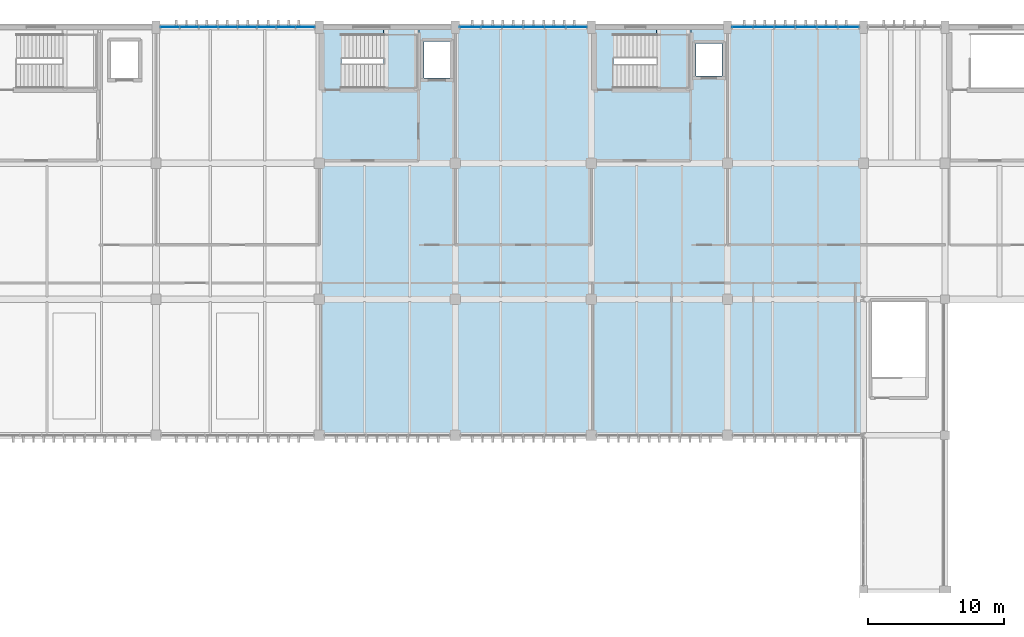
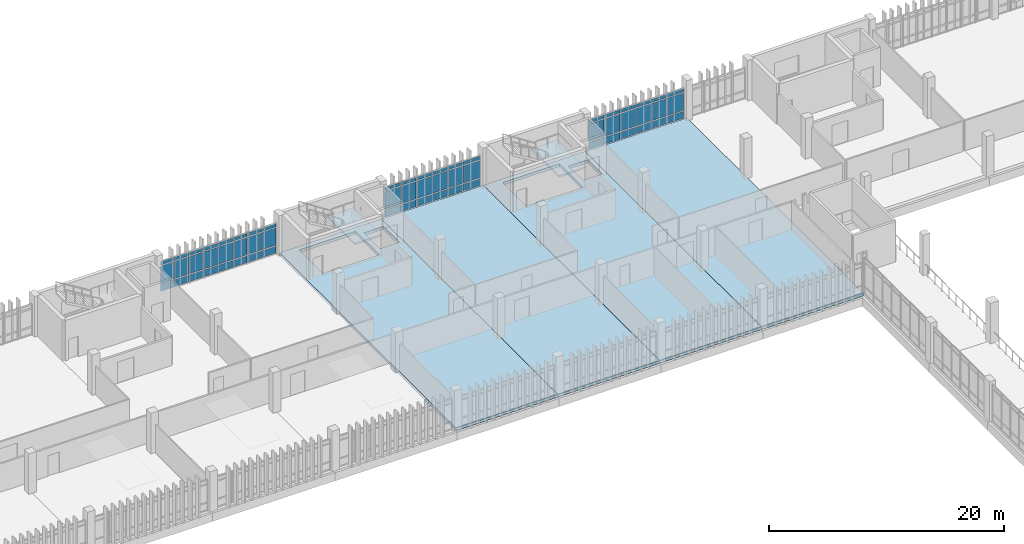
# One storey, part 134 of 161: 60 plates, 6 slabs, 5 elements without a shape of their own.
"""IFC4 building model written with IfcOpenShell, lengths in metres."""

from ifc_helpers import new_model, si_unit, direction, frame, origin, origin_2d, place, context, subcontext, project, spatial, polyline, rectangle, outline, extrude, material, layer, layer_set, type_object, element, aggregate, save


model = new_model("IFC4")

# Units and contexts
model_context = context("Model", 3, precision=1e-05, world=origin(), true_north=direction((0.0, 1.0)))
body_context = subcontext(model_context, "Body", "Model", "MODEL_VIEW")
ifc_project = project(units=[si_unit("LENGTHUNIT", "METRE"), si_unit("AREAUNIT", "SQUARE_METRE"), si_unit("VOLUMEUNIT", "CUBIC_METRE"), si_unit("PLANEANGLEUNIT", "RADIAN"), si_unit("MASSUNIT", "GRAM", prefix="KILO")], contexts=[model_context])

# Site, building, storey
site_placement = place(None, origin())
site = spatial("IfcSite", under=ifc_project, at=site_placement, CompositionType="ELEMENT")
building_placement = place(site_placement, origin())
building = spatial("IfcBuilding", under=site, at=building_placement, Name="Mersad Railyard Sports Hall", CompositionType="ELEMENT")
storey_placement = place(building_placement, frame((0.0, 0.0, 4.800048828125)))
storey = spatial("IfcBuildingStorey", under=building, at=storey_placement, Name="L01", CompositionType="ELEMENT", Elevation=4.800048828125)

# Curtain wall, plates
ifc_material_1 = material(Name="Aluminium 6063-T6", Category="aluminium")
ifc_layer_1 = layer(ifc_material_1, 0.199951171875)
ifc_layer_set_1 = layer_set([ifc_layer_1], Name="Aluminium 6063-T6")
curtain_wall_type_1 = type_object("IfcCurtainWallType", Name="ARC-CW-CW34", PredefinedType="USERDEFINED", material=ifc_layer_set_1)
curtain_wall_1_placement = place(storey_placement, origin())
curtain_wall_1 = element("IfcCurtainWall", 1, at=curtain_wall_1_placement, inside=storey, type_object=curtain_wall_type_1, Name="Curtain wall CW34-0097", ObjectType="CURTAIN WALL", PredefinedType="USERDEFINED")
ifc_material_2 = material(Name="Solar-control glass", Category="glass")
ifc_layer_2 = layer(ifc_material_2, 0.028076171875)
ifc_layer_set_2 = layer_set([ifc_layer_2], Name="Solar-control glass")
plate_type = type_object("IfcPlateType", Name="ARC-CW-PNL01", PredefinedType="CURTAIN_PANEL", material=ifc_layer_set_2)
plate_1_placement = place(storey_placement, frame((80.030029296875, 115.0, 0.0849609375), z_axis=(0.0, 0.0, 1.0), x_axis=(1.0, 0.0, 0.0)))
plate_1 = element("IfcPlate", 2, at=plate_1_placement, type_object=plate_type, Name="CW34 Glazed panel 1-1", PredefinedType="CURTAIN_PANEL", context=body_context, shape_type="SweptSolid", body=[
    extrude(rectangle(XDim=1.3759765625, YDim=0.028076171875, at=origin_2d()), origin(), (0.0, 0.0, 1.0), 0.719970703125),
])
plate_2_placement = place(storey_placement, frame((80.030029296875, 115.0, 0.89501953125), z_axis=(0.0, 0.0, 1.0), x_axis=(1.0, 0.0, 0.0)))
plate_2 = element("IfcPlate", 3, at=plate_2_placement, type_object=plate_type, Name="CW34 Glazed panel 1-2", PredefinedType="CURTAIN_PANEL", context=body_context, shape_type="SweptSolid", body=[
    extrude(rectangle(XDim=1.3759765625, YDim=0.028076171875, at=origin_2d()), origin(), (0.0, 0.0, 1.0), 1.81005859375),
])
plate_3_placement = place(storey_placement, frame((80.030029296875, 115.0, 2.794921875), z_axis=(0.0, 0.0, 1.0), x_axis=(1.0, 0.0, 0.0)))
plate_3 = element("IfcPlate", 4, at=plate_3_placement, type_object=plate_type, Name="CW34 Glazed panel 1-3", PredefinedType="CURTAIN_PANEL", context=body_context, shape_type="SweptSolid", body=[
    extrude(rectangle(XDim=1.3759765625, YDim=0.028076171875, at=origin_2d()), origin(), (0.0, 0.0, 1.0), 0.35009765625),
])
plate_4_placement = place(storey_placement, frame((81.449951171875, 115.0, 0.0849609375), z_axis=(0.0, 0.0, 1.0), x_axis=(1.0, 0.0, 0.0)))
plate_4 = element("IfcPlate", 5, at=plate_4_placement, type_object=plate_type, Name="CW34 Glazed panel 2-1", PredefinedType="CURTAIN_PANEL", context=body_context, shape_type="SweptSolid", body=[
    extrude(rectangle(XDim=1.3759765625, YDim=0.028076171875, at=origin_2d()), origin(), (0.0, 0.0, 1.0), 0.719970703125),
])
plate_5_placement = place(storey_placement, frame((81.449951171875, 115.0, 0.89501953125), z_axis=(0.0, 0.0, 1.0), x_axis=(1.0, 0.0, 0.0)))
plate_5 = element("IfcPlate", 6, at=plate_5_placement, type_object=plate_type, Name="CW34 Glazed panel 2-2", PredefinedType="CURTAIN_PANEL", context=body_context, shape_type="SweptSolid", body=[
    extrude(rectangle(XDim=1.3759765625, YDim=0.028076171875, at=origin_2d()), origin(), (0.0, 0.0, 1.0), 1.81005859375),
])
plate_6_placement = place(storey_placement, frame((81.449951171875, 115.0, 2.794921875), z_axis=(0.0, 0.0, 1.0), x_axis=(1.0, 0.0, 0.0)))
plate_6 = element("IfcPlate", 7, at=plate_6_placement, type_object=plate_type, Name="CW34 Glazed panel 2-3", PredefinedType="CURTAIN_PANEL", context=body_context, shape_type="SweptSolid", body=[
    extrude(rectangle(XDim=1.3759765625, YDim=0.028076171875, at=origin_2d()), origin(), (0.0, 0.0, 1.0), 0.35009765625),
])
plate_7_placement = place(storey_placement, frame((82.8701171875, 115.0, 0.0849609375), z_axis=(0.0, 0.0, 1.0), x_axis=(1.0, 0.0, 0.0)))
plate_7 = element("IfcPlate", 8, at=plate_7_placement, type_object=plate_type, Name="CW34 Glazed panel 3-1", PredefinedType="CURTAIN_PANEL", context=body_context, shape_type="SweptSolid", body=[
    extrude(rectangle(XDim=1.3759765625, YDim=0.028076171875, at=origin_2d()), origin(), (0.0, 0.0, 1.0), 0.719970703125),
])
plate_8_placement = place(storey_placement, frame((82.8701171875, 115.0, 0.89501953125), z_axis=(0.0, 0.0, 1.0), x_axis=(1.0, 0.0, 0.0)))
plate_8 = element("IfcPlate", 9, at=plate_8_placement, type_object=plate_type, Name="CW34 Glazed panel 3-2", PredefinedType="CURTAIN_PANEL", context=body_context, shape_type="SweptSolid", body=[
    extrude(rectangle(XDim=1.3759765625, YDim=0.028076171875, at=origin_2d()), origin(), (0.0, 0.0, 1.0), 1.81005859375),
])
plate_9_placement = place(storey_placement, frame((82.8701171875, 115.0, 2.794921875), z_axis=(0.0, 0.0, 1.0), x_axis=(1.0, 0.0, 0.0)))
plate_9 = element("IfcPlate", 10, at=plate_9_placement, type_object=plate_type, Name="CW34 Glazed panel 3-3", PredefinedType="CURTAIN_PANEL", context=body_context, shape_type="SweptSolid", body=[
    extrude(rectangle(XDim=1.3759765625, YDim=0.028076171875, at=origin_2d()), origin(), (0.0, 0.0, 1.0), 0.35009765625),
])
plate_10_placement = place(storey_placement, frame((84.2900390625, 115.0, 0.0849609375), z_axis=(0.0, 0.0, 1.0), x_axis=(1.0, 0.0, 0.0)))
plate_10 = element("IfcPlate", 11, at=plate_10_placement, type_object=plate_type, Name="CW34 Glazed panel 4-1", PredefinedType="CURTAIN_PANEL", context=body_context, shape_type="SweptSolid", body=[
    extrude(rectangle(XDim=1.3759765625, YDim=0.028076171875, at=origin_2d()), origin(), (0.0, 0.0, 1.0), 0.719970703125),
])
plate_11_placement = place(storey_placement, frame((84.2900390625, 115.0, 0.89501953125), z_axis=(0.0, 0.0, 1.0), x_axis=(1.0, 0.0, 0.0)))
plate_11 = element("IfcPlate", 12, at=plate_11_placement, type_object=plate_type, Name="CW34 Glazed panel 4-2", PredefinedType="CURTAIN_PANEL", context=body_context, shape_type="SweptSolid", body=[
    extrude(rectangle(XDim=1.3759765625, YDim=0.028076171875, at=origin_2d()), origin(), (0.0, 0.0, 1.0), 1.81005859375),
])
plate_12_placement = place(storey_placement, frame((84.2900390625, 115.0, 2.794921875), z_axis=(0.0, 0.0, 1.0), x_axis=(1.0, 0.0, 0.0)))
plate_12 = element("IfcPlate", 13, at=plate_12_placement, type_object=plate_type, Name="CW34 Glazed panel 4-3", PredefinedType="CURTAIN_PANEL", context=body_context, shape_type="SweptSolid", body=[
    extrude(rectangle(XDim=1.3759765625, YDim=0.028076171875, at=origin_2d()), origin(), (0.0, 0.0, 1.0), 0.35009765625),
])
plate_13_placement = place(storey_placement, frame((85.7099609375, 115.0, 0.0849609375), z_axis=(0.0, 0.0, 1.0), x_axis=(1.0, 0.0, 0.0)))
plate_13 = element("IfcPlate", 14, at=plate_13_placement, type_object=plate_type, Name="CW34 Glazed panel 5-1", PredefinedType="CURTAIN_PANEL", context=body_context, shape_type="SweptSolid", body=[
    extrude(rectangle(XDim=1.3759765625, YDim=0.028076171875, at=origin_2d()), origin(), (0.0, 0.0, 1.0), 0.719970703125),
])
plate_14_placement = place(storey_placement, frame((85.7099609375, 115.0, 0.89501953125), z_axis=(0.0, 0.0, 1.0), x_axis=(1.0, 0.0, 0.0)))
plate_14 = element("IfcPlate", 15, at=plate_14_placement, type_object=plate_type, Name="CW34 Glazed panel 5-2", PredefinedType="CURTAIN_PANEL", context=body_context, shape_type="SweptSolid", body=[
    extrude(rectangle(XDim=1.3759765625, YDim=0.028076171875, at=origin_2d()), origin(), (0.0, 0.0, 1.0), 1.81005859375),
])
plate_15_placement = place(storey_placement, frame((85.7099609375, 115.0, 2.794921875), z_axis=(0.0, 0.0, 1.0), x_axis=(1.0, 0.0, 0.0)))
plate_15 = element("IfcPlate", 16, at=plate_15_placement, type_object=plate_type, Name="CW34 Glazed panel 5-3", PredefinedType="CURTAIN_PANEL", context=body_context, shape_type="SweptSolid", body=[
    extrude(rectangle(XDim=1.3759765625, YDim=0.028076171875, at=origin_2d()), origin(), (0.0, 0.0, 1.0), 0.35009765625),
])
plate_16_placement = place(storey_placement, frame((87.1298828125, 115.0, 0.0849609375), z_axis=(0.0, 0.0, 1.0), x_axis=(1.0, 0.0, 0.0)))
plate_16 = element("IfcPlate", 17, at=plate_16_placement, type_object=plate_type, Name="CW34 Glazed panel 6-1", PredefinedType="CURTAIN_PANEL", context=body_context, shape_type="SweptSolid", body=[
    extrude(rectangle(XDim=1.3759765625, YDim=0.028076171875, at=origin_2d()), origin(), (0.0, 0.0, 1.0), 0.719970703125),
])
plate_17_placement = place(storey_placement, frame((87.1298828125, 115.0, 0.89501953125), z_axis=(0.0, 0.0, 1.0), x_axis=(1.0, 0.0, 0.0)))
plate_17 = element("IfcPlate", 18, at=plate_17_placement, type_object=plate_type, Name="CW34 Glazed panel 6-2", PredefinedType="CURTAIN_PANEL", context=body_context, shape_type="SweptSolid", body=[
    extrude(rectangle(XDim=1.3759765625, YDim=0.028076171875, at=origin_2d()), origin(), (0.0, 0.0, 1.0), 1.81005859375),
])
plate_18_placement = place(storey_placement, frame((87.1298828125, 115.0, 2.794921875), z_axis=(0.0, 0.0, 1.0), x_axis=(1.0, 0.0, 0.0)))
plate_18 = element("IfcPlate", 19, at=plate_18_placement, type_object=plate_type, Name="CW34 Glazed panel 6-3", PredefinedType="CURTAIN_PANEL", context=body_context, shape_type="SweptSolid", body=[
    extrude(rectangle(XDim=1.3759765625, YDim=0.028076171875, at=origin_2d()), origin(), (0.0, 0.0, 1.0), 0.35009765625),
])
plate_19_placement = place(storey_placement, frame((88.550048828125, 115.0, 0.0849609375), z_axis=(0.0, 0.0, 1.0), x_axis=(1.0, 0.0, 0.0)))
plate_19 = element("IfcPlate", 20, at=plate_19_placement, type_object=plate_type, Name="CW34 Glazed panel 7-1", PredefinedType="CURTAIN_PANEL", context=body_context, shape_type="SweptSolid", body=[
    extrude(rectangle(XDim=1.3759765625, YDim=0.028076171875, at=origin_2d()), origin(), (0.0, 0.0, 1.0), 0.719970703125),
])
plate_20_placement = place(storey_placement, frame((88.550048828125, 115.0, 0.89501953125), z_axis=(0.0, 0.0, 1.0), x_axis=(1.0, 0.0, 0.0)))
plate_20 = element("IfcPlate", 21, at=plate_20_placement, type_object=plate_type, Name="CW34 Glazed panel 7-2", PredefinedType="CURTAIN_PANEL", context=body_context, shape_type="SweptSolid", body=[
    extrude(rectangle(XDim=1.3759765625, YDim=0.028076171875, at=origin_2d()), origin(), (0.0, 0.0, 1.0), 1.81005859375),
])
plate_21_placement = place(storey_placement, frame((88.550048828125, 115.0, 2.794921875), z_axis=(0.0, 0.0, 1.0), x_axis=(1.0, 0.0, 0.0)))
plate_21 = element("IfcPlate", 22, at=plate_21_placement, type_object=plate_type, Name="CW34 Glazed panel 7-3", PredefinedType="CURTAIN_PANEL", context=body_context, shape_type="SweptSolid", body=[
    extrude(rectangle(XDim=1.3759765625, YDim=0.028076171875, at=origin_2d()), origin(), (0.0, 0.0, 1.0), 0.35009765625),
])
plate_22_placement = place(storey_placement, frame((89.969970703125, 115.0, 0.0849609375), z_axis=(0.0, 0.0, 1.0), x_axis=(1.0, 0.0, 0.0)))
plate_22 = element("IfcPlate", 23, at=plate_22_placement, type_object=plate_type, Name="CW34 Glazed panel 8-1", PredefinedType="CURTAIN_PANEL", context=body_context, shape_type="SweptSolid", body=[
    extrude(rectangle(XDim=1.3759765625, YDim=0.028076171875, at=origin_2d()), origin(), (0.0, 0.0, 1.0), 0.719970703125),
])
plate_23_placement = place(storey_placement, frame((89.969970703125, 115.0, 0.89501953125), z_axis=(0.0, 0.0, 1.0), x_axis=(1.0, 0.0, 0.0)))
plate_23 = element("IfcPlate", 24, at=plate_23_placement, type_object=plate_type, Name="CW34 Glazed panel 8-2", PredefinedType="CURTAIN_PANEL", context=body_context, shape_type="SweptSolid", body=[
    extrude(rectangle(XDim=1.3759765625, YDim=0.028076171875, at=origin_2d()), origin(), (0.0, 0.0, 1.0), 1.81005859375),
])
plate_24_placement = place(storey_placement, frame((89.969970703125, 115.0, 2.794921875), z_axis=(0.0, 0.0, 1.0), x_axis=(1.0, 0.0, 0.0)))
plate_24 = element("IfcPlate", 25, at=plate_24_placement, type_object=plate_type, Name="CW34 Glazed panel 8-3", PredefinedType="CURTAIN_PANEL", context=body_context, shape_type="SweptSolid", body=[
    extrude(rectangle(XDim=1.3759765625, YDim=0.028076171875, at=origin_2d()), origin(), (0.0, 0.0, 1.0), 0.35009765625),
])
aggregate(curtain_wall_1, [plate_1, plate_2, plate_3, plate_4, plate_5, plate_6, plate_7, plate_8, plate_9, plate_10, plate_11, plate_12, plate_13, plate_14, plate_15, plate_16, plate_17, plate_18, plate_19, plate_20, plate_21, plate_22, plate_23, plate_24])

ifc_layer_3 = layer(ifc_material_1, 0.199951171875)
ifc_layer_set_3 = layer_set([ifc_layer_3], Name="Aluminium 6063-T6")
curtain_wall_type_2 = type_object("IfcCurtainWallType", Name="ARC-CW-CW35", PredefinedType="USERDEFINED", material=ifc_layer_set_3)
curtain_wall_2_placement = place(storey_placement, origin())
curtain_wall_2 = element("IfcCurtainWall", 26, at=curtain_wall_2_placement, inside=storey, type_object=curtain_wall_type_2, Name="Curtain wall CW35-0098", ObjectType="CURTAIN WALL", PredefinedType="USERDEFINED")
plate_25_placement = place(storey_placement, frame((102.10009765625, 115.0, 0.0849609375), z_axis=(0.0, 0.0, 1.0), x_axis=(1.0, 0.0, 0.0)))
plate_25 = element("IfcPlate", 27, at=plate_25_placement, type_object=plate_type, Name="CW35 Glazed panel 1-1", PredefinedType="CURTAIN_PANEL", context=body_context, shape_type="SweptSolid", body=[
    extrude(rectangle(XDim=1.51611328125, YDim=0.028076171875, at=origin_2d()), origin(), (0.0, 0.0, 1.0), 0.719970703125),
])
plate_26_placement = place(storey_placement, frame((102.10009765625, 115.0, 0.89501953125), z_axis=(0.0, 0.0, 1.0), x_axis=(1.0, 0.0, 0.0)))
plate_26 = element("IfcPlate", 28, at=plate_26_placement, type_object=plate_type, Name="CW35 Glazed panel 1-2", PredefinedType="CURTAIN_PANEL", context=body_context, shape_type="SweptSolid", body=[
    extrude(rectangle(XDim=1.51611328125, YDim=0.028076171875, at=origin_2d()), origin(), (0.0, 0.0, 1.0), 1.81005859375),
])
plate_27_placement = place(storey_placement, frame((102.10009765625, 115.0, 2.794921875), z_axis=(0.0, 0.0, 1.0), x_axis=(1.0, 0.0, 0.0)))
plate_27 = element("IfcPlate", 29, at=plate_27_placement, type_object=plate_type, Name="CW35 Glazed panel 1-3", PredefinedType="CURTAIN_PANEL", context=body_context, shape_type="SweptSolid", body=[
    extrude(rectangle(XDim=1.51611328125, YDim=0.028076171875, at=origin_2d()), origin(), (0.0, 0.0, 1.0), 0.35009765625),
])
plate_28_placement = place(storey_placement, frame((103.659912109375, 115.0, 0.0849609375), z_axis=(0.0, 0.0, 1.0), x_axis=(1.0, 0.0, 0.0)))
plate_28 = element("IfcPlate", 30, at=plate_28_placement, type_object=plate_type, Name="CW35 Glazed panel 2-1", PredefinedType="CURTAIN_PANEL", context=body_context, shape_type="SweptSolid", body=[
    extrude(rectangle(XDim=1.51611328125, YDim=0.028076171875, at=origin_2d()), origin(), (0.0, 0.0, 1.0), 0.719970703125),
])
plate_29_placement = place(storey_placement, frame((103.659912109375, 115.0, 0.89501953125), z_axis=(0.0, 0.0, 1.0), x_axis=(1.0, 0.0, 0.0)))
plate_29 = element("IfcPlate", 31, at=plate_29_placement, type_object=plate_type, Name="CW35 Glazed panel 2-2", PredefinedType="CURTAIN_PANEL", context=body_context, shape_type="SweptSolid", body=[
    extrude(rectangle(XDim=1.51611328125, YDim=0.028076171875, at=origin_2d()), origin(), (0.0, 0.0, 1.0), 1.81005859375),
])
plate_30_placement = place(storey_placement, frame((103.659912109375, 115.0, 2.794921875), z_axis=(0.0, 0.0, 1.0), x_axis=(1.0, 0.0, 0.0)))
plate_30 = element("IfcPlate", 32, at=plate_30_placement, type_object=plate_type, Name="CW35 Glazed panel 2-3", PredefinedType="CURTAIN_PANEL", context=body_context, shape_type="SweptSolid", body=[
    extrude(rectangle(XDim=1.51611328125, YDim=0.028076171875, at=origin_2d()), origin(), (0.0, 0.0, 1.0), 0.35009765625),
])
plate_31_placement = place(storey_placement, frame((105.219970703125, 115.0, 0.0849609375), z_axis=(0.0, 0.0, 1.0), x_axis=(1.0, 0.0, 0.0)))
plate_31 = element("IfcPlate", 33, at=plate_31_placement, type_object=plate_type, Name="CW35 Glazed panel 3-1", PredefinedType="CURTAIN_PANEL", context=body_context, shape_type="SweptSolid", body=[
    extrude(rectangle(XDim=1.51611328125, YDim=0.028076171875, at=origin_2d()), origin(), (0.0, 0.0, 1.0), 0.719970703125),
])
plate_32_placement = place(storey_placement, frame((105.219970703125, 115.0, 0.89501953125), z_axis=(0.0, 0.0, 1.0), x_axis=(1.0, 0.0, 0.0)))
plate_32 = element("IfcPlate", 34, at=plate_32_placement, type_object=plate_type, Name="CW35 Glazed panel 3-2", PredefinedType="CURTAIN_PANEL", context=body_context, shape_type="SweptSolid", body=[
    extrude(rectangle(XDim=1.51611328125, YDim=0.028076171875, at=origin_2d()), origin(), (0.0, 0.0, 1.0), 1.81005859375),
])
plate_33_placement = place(storey_placement, frame((105.219970703125, 115.0, 2.794921875), z_axis=(0.0, 0.0, 1.0), x_axis=(1.0, 0.0, 0.0)))
plate_33 = element("IfcPlate", 35, at=plate_33_placement, type_object=plate_type, Name="CW35 Glazed panel 3-3", PredefinedType="CURTAIN_PANEL", context=body_context, shape_type="SweptSolid", body=[
    extrude(rectangle(XDim=1.51611328125, YDim=0.028076171875, at=origin_2d()), origin(), (0.0, 0.0, 1.0), 0.35009765625),
])
plate_34_placement = place(storey_placement, frame((106.780029296875, 115.0, 0.0849609375), z_axis=(0.0, 0.0, 1.0), x_axis=(1.0, 0.0, 0.0)))
plate_34 = element("IfcPlate", 36, at=plate_34_placement, type_object=plate_type, Name="CW35 Glazed panel 4-1", PredefinedType="CURTAIN_PANEL", context=body_context, shape_type="SweptSolid", body=[
    extrude(rectangle(XDim=1.51611328125, YDim=0.028076171875, at=origin_2d()), origin(), (0.0, 0.0, 1.0), 0.719970703125),
])
plate_35_placement = place(storey_placement, frame((106.780029296875, 115.0, 0.89501953125), z_axis=(0.0, 0.0, 1.0), x_axis=(1.0, 0.0, 0.0)))
plate_35 = element("IfcPlate", 37, at=plate_35_placement, type_object=plate_type, Name="CW35 Glazed panel 4-2", PredefinedType="CURTAIN_PANEL", context=body_context, shape_type="SweptSolid", body=[
    extrude(rectangle(XDim=1.51611328125, YDim=0.028076171875, at=origin_2d()), origin(), (0.0, 0.0, 1.0), 1.81005859375),
])
plate_36_placement = place(storey_placement, frame((106.780029296875, 115.0, 2.794921875), z_axis=(0.0, 0.0, 1.0), x_axis=(1.0, 0.0, 0.0)))
plate_36 = element("IfcPlate", 38, at=plate_36_placement, type_object=plate_type, Name="CW35 Glazed panel 4-3", PredefinedType="CURTAIN_PANEL", context=body_context, shape_type="SweptSolid", body=[
    extrude(rectangle(XDim=1.51611328125, YDim=0.028076171875, at=origin_2d()), origin(), (0.0, 0.0, 1.0), 0.35009765625),
])
plate_37_placement = place(storey_placement, frame((108.340087890625, 115.0, 0.0849609375), z_axis=(0.0, 0.0, 1.0), x_axis=(1.0, 0.0, 0.0)))
plate_37 = element("IfcPlate", 39, at=plate_37_placement, type_object=plate_type, Name="CW35 Glazed panel 5-1", PredefinedType="CURTAIN_PANEL", context=body_context, shape_type="SweptSolid", body=[
    extrude(rectangle(XDim=1.51611328125, YDim=0.028076171875, at=origin_2d()), origin(), (0.0, 0.0, 1.0), 0.719970703125),
])
plate_38_placement = place(storey_placement, frame((108.340087890625, 115.0, 0.89501953125), z_axis=(0.0, 0.0, 1.0), x_axis=(1.0, 0.0, 0.0)))
plate_38 = element("IfcPlate", 40, at=plate_38_placement, type_object=plate_type, Name="CW35 Glazed panel 5-2", PredefinedType="CURTAIN_PANEL", context=body_context, shape_type="SweptSolid", body=[
    extrude(rectangle(XDim=1.51611328125, YDim=0.028076171875, at=origin_2d()), origin(), (0.0, 0.0, 1.0), 1.81005859375),
])
plate_39_placement = place(storey_placement, frame((108.340087890625, 115.0, 2.794921875), z_axis=(0.0, 0.0, 1.0), x_axis=(1.0, 0.0, 0.0)))
plate_39 = element("IfcPlate", 41, at=plate_39_placement, type_object=plate_type, Name="CW35 Glazed panel 5-3", PredefinedType="CURTAIN_PANEL", context=body_context, shape_type="SweptSolid", body=[
    extrude(rectangle(XDim=1.51611328125, YDim=0.028076171875, at=origin_2d()), origin(), (0.0, 0.0, 1.0), 0.35009765625),
])
plate_40_placement = place(storey_placement, frame((109.89990234375, 115.0, 0.0849609375), z_axis=(0.0, 0.0, 1.0), x_axis=(1.0, 0.0, 0.0)))
plate_40 = element("IfcPlate", 42, at=plate_40_placement, type_object=plate_type, Name="CW35 Glazed panel 6-1", PredefinedType="CURTAIN_PANEL", context=body_context, shape_type="SweptSolid", body=[
    extrude(rectangle(XDim=1.51611328125, YDim=0.028076171875, at=origin_2d()), origin(), (0.0, 0.0, 1.0), 0.719970703125),
])
plate_41_placement = place(storey_placement, frame((109.89990234375, 115.0, 0.89501953125), z_axis=(0.0, 0.0, 1.0), x_axis=(1.0, 0.0, 0.0)))
plate_41 = element("IfcPlate", 43, at=plate_41_placement, type_object=plate_type, Name="CW35 Glazed panel 6-2", PredefinedType="CURTAIN_PANEL", context=body_context, shape_type="SweptSolid", body=[
    extrude(rectangle(XDim=1.51611328125, YDim=0.028076171875, at=origin_2d()), origin(), (0.0, 0.0, 1.0), 1.81005859375),
])
plate_42_placement = place(storey_placement, frame((109.89990234375, 115.0, 2.794921875), z_axis=(0.0, 0.0, 1.0), x_axis=(1.0, 0.0, 0.0)))
plate_42 = element("IfcPlate", 44, at=plate_42_placement, type_object=plate_type, Name="CW35 Glazed panel 6-3", PredefinedType="CURTAIN_PANEL", context=body_context, shape_type="SweptSolid", body=[
    extrude(rectangle(XDim=1.51611328125, YDim=0.028076171875, at=origin_2d()), origin(), (0.0, 0.0, 1.0), 0.35009765625),
])
aggregate(curtain_wall_2, [plate_25, plate_26, plate_27, plate_28, plate_29, plate_30, plate_31, plate_32, plate_33, plate_34, plate_35, plate_36, plate_37, plate_38, plate_39, plate_40, plate_41, plate_42])

curtain_wall_3_placement = place(storey_placement, origin())
curtain_wall_3 = element("IfcCurtainWall", 45, at=curtain_wall_3_placement, inside=storey, type_object=curtain_wall_type_2, Name="Curtain wall CW35-0099", ObjectType="CURTAIN WALL", PredefinedType="USERDEFINED")
plate_43_placement = place(storey_placement, frame((122.10009765625, 115.0, 0.0849609375), z_axis=(0.0, 0.0, 1.0), x_axis=(1.0, 0.0, 0.0)))
plate_43 = element("IfcPlate", 46, at=plate_43_placement, type_object=plate_type, Name="CW35 Glazed panel 1-1", PredefinedType="CURTAIN_PANEL", context=body_context, shape_type="SweptSolid", body=[
    extrude(rectangle(XDim=1.51611328125, YDim=0.028076171875, at=origin_2d()), origin(), (0.0, 0.0, 1.0), 0.719970703125),
])
plate_44_placement = place(storey_placement, frame((122.10009765625, 115.0, 0.89501953125), z_axis=(0.0, 0.0, 1.0), x_axis=(1.0, 0.0, 0.0)))
plate_44 = element("IfcPlate", 47, at=plate_44_placement, type_object=plate_type, Name="CW35 Glazed panel 1-2", PredefinedType="CURTAIN_PANEL", context=body_context, shape_type="SweptSolid", body=[
    extrude(rectangle(XDim=1.51611328125, YDim=0.028076171875, at=origin_2d()), origin(), (0.0, 0.0, 1.0), 1.81005859375),
])
plate_45_placement = place(storey_placement, frame((122.10009765625, 115.0, 2.794921875), z_axis=(0.0, 0.0, 1.0), x_axis=(1.0, 0.0, 0.0)))
plate_45 = element("IfcPlate", 48, at=plate_45_placement, type_object=plate_type, Name="CW35 Glazed panel 1-3", PredefinedType="CURTAIN_PANEL", context=body_context, shape_type="SweptSolid", body=[
    extrude(rectangle(XDim=1.51611328125, YDim=0.028076171875, at=origin_2d()), origin(), (0.0, 0.0, 1.0), 0.35009765625),
])
plate_46_placement = place(storey_placement, frame((123.659912109375, 115.0, 0.0849609375), z_axis=(0.0, 0.0, 1.0), x_axis=(1.0, 0.0, 0.0)))
plate_46 = element("IfcPlate", 49, at=plate_46_placement, type_object=plate_type, Name="CW35 Glazed panel 2-1", PredefinedType="CURTAIN_PANEL", context=body_context, shape_type="SweptSolid", body=[
    extrude(rectangle(XDim=1.51611328125, YDim=0.028076171875, at=origin_2d()), origin(), (0.0, 0.0, 1.0), 0.719970703125),
])
plate_47_placement = place(storey_placement, frame((123.659912109375, 115.0, 0.89501953125), z_axis=(0.0, 0.0, 1.0), x_axis=(1.0, 0.0, 0.0)))
plate_47 = element("IfcPlate", 50, at=plate_47_placement, type_object=plate_type, Name="CW35 Glazed panel 2-2", PredefinedType="CURTAIN_PANEL", context=body_context, shape_type="SweptSolid", body=[
    extrude(rectangle(XDim=1.51611328125, YDim=0.028076171875, at=origin_2d()), origin(), (0.0, 0.0, 1.0), 1.81005859375),
])
plate_48_placement = place(storey_placement, frame((123.659912109375, 115.0, 2.794921875), z_axis=(0.0, 0.0, 1.0), x_axis=(1.0, 0.0, 0.0)))
plate_48 = element("IfcPlate", 51, at=plate_48_placement, type_object=plate_type, Name="CW35 Glazed panel 2-3", PredefinedType="CURTAIN_PANEL", context=body_context, shape_type="SweptSolid", body=[
    extrude(rectangle(XDim=1.51611328125, YDim=0.028076171875, at=origin_2d()), origin(), (0.0, 0.0, 1.0), 0.35009765625),
])
plate_49_placement = place(storey_placement, frame((125.219970703125, 115.0, 0.0849609375), z_axis=(0.0, 0.0, 1.0), x_axis=(1.0, 0.0, 0.0)))
plate_49 = element("IfcPlate", 52, at=plate_49_placement, type_object=plate_type, Name="CW35 Glazed panel 3-1", PredefinedType="CURTAIN_PANEL", context=body_context, shape_type="SweptSolid", body=[
    extrude(rectangle(XDim=1.51611328125, YDim=0.028076171875, at=origin_2d()), origin(), (0.0, 0.0, 1.0), 0.719970703125),
])
plate_50_placement = place(storey_placement, frame((125.219970703125, 115.0, 0.89501953125), z_axis=(0.0, 0.0, 1.0), x_axis=(1.0, 0.0, 0.0)))
plate_50 = element("IfcPlate", 53, at=plate_50_placement, type_object=plate_type, Name="CW35 Glazed panel 3-2", PredefinedType="CURTAIN_PANEL", context=body_context, shape_type="SweptSolid", body=[
    extrude(rectangle(XDim=1.51611328125, YDim=0.028076171875, at=origin_2d()), origin(), (0.0, 0.0, 1.0), 1.81005859375),
])
plate_51_placement = place(storey_placement, frame((125.219970703125, 115.0, 2.794921875), z_axis=(0.0, 0.0, 1.0), x_axis=(1.0, 0.0, 0.0)))
plate_51 = element("IfcPlate", 54, at=plate_51_placement, type_object=plate_type, Name="CW35 Glazed panel 3-3", PredefinedType="CURTAIN_PANEL", context=body_context, shape_type="SweptSolid", body=[
    extrude(rectangle(XDim=1.51611328125, YDim=0.028076171875, at=origin_2d()), origin(), (0.0, 0.0, 1.0), 0.35009765625),
])
plate_52_placement = place(storey_placement, frame((126.780029296875, 115.0, 0.0849609375), z_axis=(0.0, 0.0, 1.0), x_axis=(1.0, 0.0, 0.0)))
plate_52 = element("IfcPlate", 55, at=plate_52_placement, type_object=plate_type, Name="CW35 Glazed panel 4-1", PredefinedType="CURTAIN_PANEL", context=body_context, shape_type="SweptSolid", body=[
    extrude(rectangle(XDim=1.51611328125, YDim=0.028076171875, at=origin_2d()), origin(), (0.0, 0.0, 1.0), 0.719970703125),
])
plate_53_placement = place(storey_placement, frame((126.780029296875, 115.0, 0.89501953125), z_axis=(0.0, 0.0, 1.0), x_axis=(1.0, 0.0, 0.0)))
plate_53 = element("IfcPlate", 56, at=plate_53_placement, type_object=plate_type, Name="CW35 Glazed panel 4-2", PredefinedType="CURTAIN_PANEL", context=body_context, shape_type="SweptSolid", body=[
    extrude(rectangle(XDim=1.51611328125, YDim=0.028076171875, at=origin_2d()), origin(), (0.0, 0.0, 1.0), 1.81005859375),
])
plate_54_placement = place(storey_placement, frame((126.780029296875, 115.0, 2.794921875), z_axis=(0.0, 0.0, 1.0), x_axis=(1.0, 0.0, 0.0)))
plate_54 = element("IfcPlate", 57, at=plate_54_placement, type_object=plate_type, Name="CW35 Glazed panel 4-3", PredefinedType="CURTAIN_PANEL", context=body_context, shape_type="SweptSolid", body=[
    extrude(rectangle(XDim=1.51611328125, YDim=0.028076171875, at=origin_2d()), origin(), (0.0, 0.0, 1.0), 0.35009765625),
])
plate_55_placement = place(storey_placement, frame((128.340087890625, 115.0, 0.0849609375), z_axis=(0.0, 0.0, 1.0), x_axis=(1.0, 0.0, 0.0)))
plate_55 = element("IfcPlate", 58, at=plate_55_placement, type_object=plate_type, Name="CW35 Glazed panel 5-1", PredefinedType="CURTAIN_PANEL", context=body_context, shape_type="SweptSolid", body=[
    extrude(rectangle(XDim=1.51611328125, YDim=0.028076171875, at=origin_2d()), origin(), (0.0, 0.0, 1.0), 0.719970703125),
])
plate_56_placement = place(storey_placement, frame((128.340087890625, 115.0, 0.89501953125), z_axis=(0.0, 0.0, 1.0), x_axis=(1.0, 0.0, 0.0)))
plate_56 = element("IfcPlate", 59, at=plate_56_placement, type_object=plate_type, Name="CW35 Glazed panel 5-2", PredefinedType="CURTAIN_PANEL", context=body_context, shape_type="SweptSolid", body=[
    extrude(rectangle(XDim=1.51611328125, YDim=0.028076171875, at=origin_2d()), origin(), (0.0, 0.0, 1.0), 1.81005859375),
])
plate_57_placement = place(storey_placement, frame((128.340087890625, 115.0, 2.794921875), z_axis=(0.0, 0.0, 1.0), x_axis=(1.0, 0.0, 0.0)))
plate_57 = element("IfcPlate", 60, at=plate_57_placement, type_object=plate_type, Name="CW35 Glazed panel 5-3", PredefinedType="CURTAIN_PANEL", context=body_context, shape_type="SweptSolid", body=[
    extrude(rectangle(XDim=1.51611328125, YDim=0.028076171875, at=origin_2d()), origin(), (0.0, 0.0, 1.0), 0.35009765625),
])
plate_58_placement = place(storey_placement, frame((129.89990234375, 115.0, 0.0849609375), z_axis=(0.0, 0.0, 1.0), x_axis=(1.0, 0.0, 0.0)))
plate_58 = element("IfcPlate", 61, at=plate_58_placement, type_object=plate_type, Name="CW35 Glazed panel 6-1", PredefinedType="CURTAIN_PANEL", context=body_context, shape_type="SweptSolid", body=[
    extrude(rectangle(XDim=1.51611328125, YDim=0.028076171875, at=origin_2d()), origin(), (0.0, 0.0, 1.0), 0.719970703125),
])
plate_59_placement = place(storey_placement, frame((129.89990234375, 115.0, 0.89501953125), z_axis=(0.0, 0.0, 1.0), x_axis=(1.0, 0.0, 0.0)))
plate_59 = element("IfcPlate", 62, at=plate_59_placement, type_object=plate_type, Name="CW35 Glazed panel 6-2", PredefinedType="CURTAIN_PANEL", context=body_context, shape_type="SweptSolid", body=[
    extrude(rectangle(XDim=1.51611328125, YDim=0.028076171875, at=origin_2d()), origin(), (0.0, 0.0, 1.0), 1.81005859375),
])
plate_60_placement = place(storey_placement, frame((129.89990234375, 115.0, 2.794921875), z_axis=(0.0, 0.0, 1.0), x_axis=(1.0, 0.0, 0.0)))
plate_60 = element("IfcPlate", 63, at=plate_60_placement, type_object=plate_type, Name="CW35 Glazed panel 6-3", PredefinedType="CURTAIN_PANEL", context=body_context, shape_type="SweptSolid", body=[
    extrude(rectangle(XDim=1.51611328125, YDim=0.028076171875, at=origin_2d()), origin(), (0.0, 0.0, 1.0), 0.35009765625),
])
aggregate(curtain_wall_3, [plate_43, plate_44, plate_45, plate_46, plate_47, plate_48, plate_49, plate_50, plate_51, plate_52, plate_53, plate_54, plate_55, plate_56, plate_57, plate_58, plate_59, plate_60])

# Slabs
ifc_material_3 = material(Name="Concrete C40/50", Category="concrete")
ifc_layer_4 = layer(ifc_material_3, 0.300048828125)
ifc_layer_set_4 = layer_set([ifc_layer_4], Name="Concrete C40/50")
slab_type_1 = type_object("IfcSlabType", Name="STR-SL-FL03", PredefinedType="FLOOR", material=ifc_layer_set_4)
slab_1_placement = place(storey_placement, frame((0.0, 0.0, -0.300048828125)))
element("IfcSlab", 64, at=slab_1_placement, inside=storey, type_object=slab_type_1, Name="Slab SL03-0074", PredefinedType="FLOOR", context=body_context, shape_type="SweptSolid", body=[
    extrude(outline(polyline([(91.0, 85.0), (101.0, 85.0), (101.0, 115.0), (91.0, 115.0), (91.0, 85.0)]), holes=[polyline([(92.639892578125, 110.5), (98.199951171875, 110.5), (98.199951171875, 114.5), (92.639892578125, 114.5), (92.639892578125, 110.5)]), polyline([(98.699951171875, 111.25), (100.60009765625, 111.25), (100.60009765625, 113.949951171875), (98.699951171875, 113.949951171875), (98.699951171875, 111.25)])]), origin(), (0.0, 0.0, 1.0), 0.300048828125),
])
slab_2_placement = place(storey_placement, frame((0.0, 0.0, -0.300048828125)))
element("IfcSlab", 65, at=slab_2_placement, inside=storey, type_object=slab_type_1, Name="Slab SL03-0075", PredefinedType="FLOOR", context=body_context, shape_type="SweptSolid", body=[
    extrude(outline(polyline([(101.0, 85.0), (111.0, 85.0), (111.0, 115.0), (101.0, 115.0), (101.0, 85.0)])), origin(), (0.0, 0.0, 1.0), 0.300048828125),
])
slab_3_placement = place(storey_placement, frame((0.0, 0.0, -0.300048828125)))
element("IfcSlab", 66, at=slab_3_placement, inside=storey, type_object=slab_type_1, Name="Slab SL03-0076", PredefinedType="FLOOR", context=body_context, shape_type="SweptSolid", body=[
    extrude(outline(polyline([(111.0, 85.0), (121.0, 85.0), (121.0, 115.0), (111.0, 115.0), (111.0, 85.0)]), holes=[polyline([(112.639892578125, 110.5), (118.199951171875, 110.5), (118.199951171875, 114.5), (112.639892578125, 114.5), (112.639892578125, 110.5)]), polyline([(118.699951171875, 111.39990234375), (120.60009765625, 111.39990234375), (120.60009765625, 113.800048828125), (118.699951171875, 113.800048828125), (118.699951171875, 111.39990234375)])]), origin(), (0.0, 0.0, 1.0), 0.300048828125),
])
slab_4_placement = place(storey_placement, frame((0.0, 0.0, -0.300048828125)))
element("IfcSlab", 67, at=slab_4_placement, inside=storey, type_object=slab_type_1, Name="Slab SL03-0077", PredefinedType="FLOOR", context=body_context, shape_type="SweptSolid", body=[
    extrude(outline(polyline([(121.0, 85.0), (131.0, 85.0), (131.0, 115.0), (121.0, 115.0), (121.0, 85.0)])), origin(), (0.0, 0.0, 1.0), 0.300048828125),
])

# Stair, slab
stair_type_1 = type_object("IfcStairType", Name="ARC-ST-ST02C", PredefinedType="HALF_TURN_STAIR", material=ifc_material_3)
stair_1_placement = place(storey_placement, origin())
stair_1 = element("IfcStair", 68, at=stair_1_placement, inside=storey, type_object=stair_type_1, Name="Core C2 Exit Stair L01-L02", PredefinedType="HALF_TURN_STAIR")
ifc_layer_5 = layer(ifc_material_3, 0.179931640625)
ifc_layer_set_5 = layer_set([ifc_layer_5], Name="Concrete C40/50")
slab_type_2 = type_object("IfcSlabType", Name="STR-SL-LD01", PredefinedType="LANDING", material=ifc_layer_set_5)
slab_5_placement = place(storey_placement, frame((0.0, 0.0, 1.919921875)))
slab_5 = element("IfcSlab", 69, at=slab_5_placement, type_object=slab_type_2, Name="Core C2 Exit Stair L01-L02 Half Landing", PredefinedType="LANDING", context=body_context, shape_type="SweptSolid", body=[
    extrude(outline(polyline([(95.72998046875, 110.3798828125), (98.320068359375, 110.3798828125), (98.320068359375, 115.050048828125), (95.72998046875, 115.050048828125), (95.72998046875, 110.3798828125)])), origin(), (0.0, 0.0, 1.0), 0.179931640625),
])
aggregate(stair_1, [slab_5])

stair_type_2 = type_object("IfcStairType", Name="ARC-ST-ST03C", PredefinedType="HALF_TURN_STAIR", material=ifc_material_3)
stair_2_placement = place(storey_placement, origin())
stair_2 = element("IfcStair", 70, at=stair_2_placement, inside=storey, type_object=stair_type_2, Name="Core C3 Exit Stair L01-L02", PredefinedType="HALF_TURN_STAIR")
slab_6_placement = place(storey_placement, frame((0.0, 0.0, 1.919921875)))
slab_6 = element("IfcSlab", 71, at=slab_6_placement, type_object=slab_type_2, Name="Core C3 Exit Stair L01-L02 Half Landing", PredefinedType="LANDING", context=body_context, shape_type="SweptSolid", body=[
    extrude(outline(polyline([(115.77392578125, 110.3798828125), (118.320068359375, 110.3798828125), (118.320068359375, 115.050048828125), (115.77392578125, 115.050048828125), (115.77392578125, 110.3798828125)])), origin(), (0.0, 0.0, 1.0), 0.179931640625),
])
aggregate(stair_2, [slab_6])

save(model, "model.ifc")
